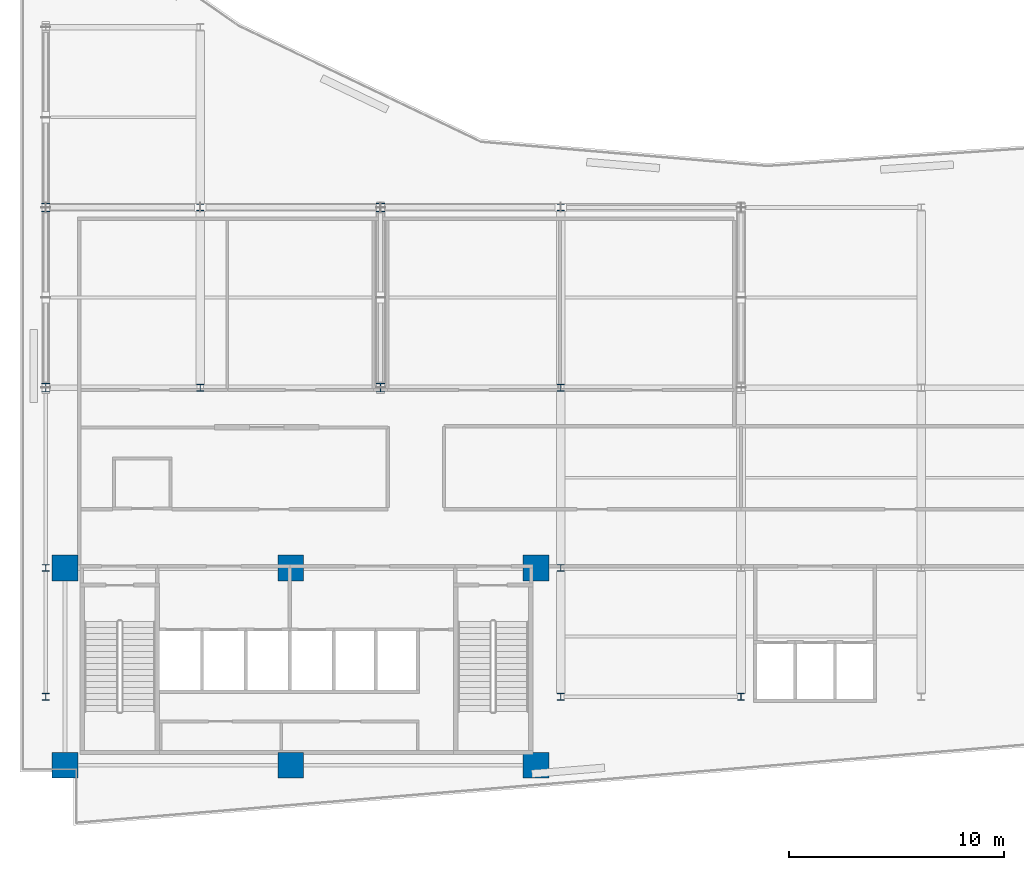
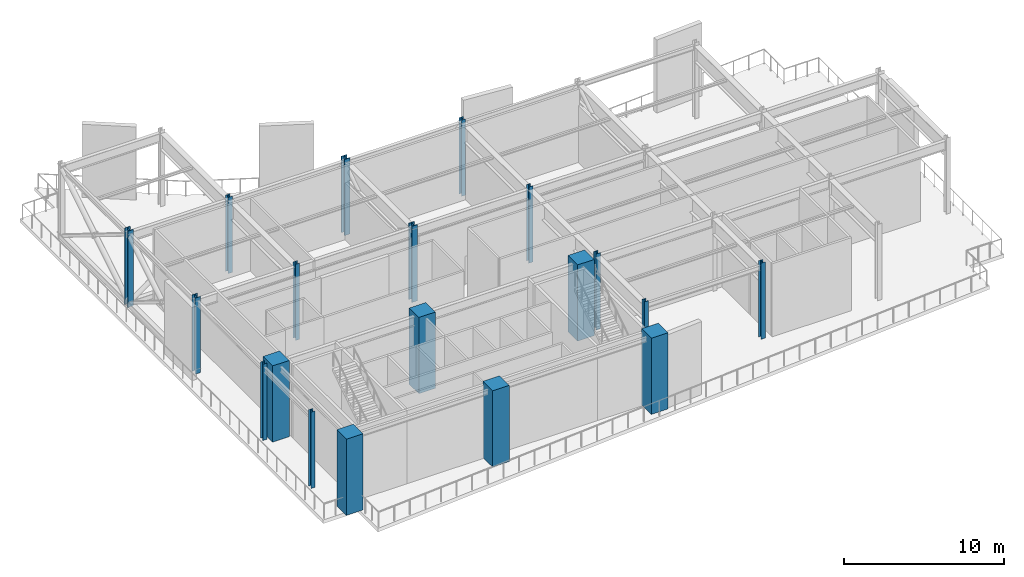
# One storey, part 1 of 13: 19 columns.
"""IFC4 building model written with IfcOpenShell, lengths in metres."""

from ifc_helpers import new_model, si_unit, direction, frame, origin, origin_2d, place, context, subcontext, project, spatial, rectangle, i_section, extrude, material, material_profile, profile_set, type_object, element, save


model = new_model("IFC4")

# Units and contexts
model_context = context("Model", 3, precision=1e-05, world=origin(), true_north=direction((0.0, 1.0)))
body_context = subcontext(model_context, "Body", "Model", "MODEL_VIEW")
ifc_project = project(units=[si_unit("LENGTHUNIT", "METRE"), si_unit("AREAUNIT", "SQUARE_METRE"), si_unit("VOLUMEUNIT", "CUBIC_METRE"), si_unit("PLANEANGLEUNIT", "RADIAN"), si_unit("MASSUNIT", "GRAM", prefix="KILO")], contexts=[model_context])

# Site, building, storey
site_placement = place(None, origin())
site = spatial("IfcSite", under=ifc_project, at=site_placement, CompositionType="ELEMENT")
building_placement = place(site_placement, origin())
building = spatial("IfcBuilding", under=site, at=building_placement, Name="Varnakote Quay Hospital", CompositionType="ELEMENT")
storey_placement = place(building_placement, frame((0.0, 0.0, 174.449951171875)))
storey = spatial("IfcBuildingStorey", under=building, at=storey_placement, Name="L43", CompositionType="ELEMENT", Elevation=174.449951171875)

# Columns
ifc_material_1 = material(Name="Concrete N80 (f'c 80 MPa)", Category="concrete")
ifc_material_profile_1 = material_profile(ifc_material_1, rectangle(XDim=1.199951171875, YDim=1.199951171875, at=origin_2d()), Name="RC-COL-1200x1200")
ifc_profile_set_1 = profile_set([ifc_material_profile_1], Name="Concrete N80 (f'c 80 MPa)")
column_type_1 = type_object("IfcColumnType", Name="COL-RC-1200", PredefinedType="COLUMN", material=ifc_profile_set_1)
for number, where, z_axis, x_axis, name in (
    (1, (2.10009765625, 2.800048828125, 0.0), (0.0, 0.0, 1.0), (1.0, 0.0, 0.0), "L43 Structural Column C-2-3"),
    (2, (12.6201171875, 2.800048828125, 0.0), (0.0, 0.0, 1.0), (1.0, 0.0, 0.0), "L43 Structural Column C-13-3"),
    (3, (24.050048828125, 2.800048828125, 0.0), (0.0, 0.0, 1.0), (1.0, 0.0, 0.0), "L43 Structural Column C-24-3"),
    (4, (2.10009765625, 12.0, 0.0), (0.0, 0.0, 1.0), (1.0, 0.0, 0.0), "L43 Structural Column C-2-12"),
    (5, (12.6201171875, 12.0, 0.0), (0.0, 0.0, 1.0), (1.0, 0.0, 0.0), "L43 Structural Column C-13-12"),
    (6, (24.050048828125, 12.0, 0.0), (0.0, 0.0, 1.0), (1.0, 0.0, 0.0), "L43 Structural Column C-24-12"),
):
    element("IfcColumn", number, at=place(storey_placement, frame(where, z_axis=z_axis, x_axis=x_axis)), inside=storey, type_object=column_type_1, Name=name, PredefinedType="COLUMN", context=body_context, shape_type="SweptSolid", body=[
        extrude(rectangle(XDim=1.199951171875, YDim=1.199951171875, at=origin_2d()), origin(), (0.0, 0.0, 1.0), 5.800048828125),
    ])
ifc_material_2 = material(Name="Structural steel AS/NZS 3679.1 Grade 350 L0 (fy 340 MPa)", Category="steel")
ifc_material_profile_2 = material_profile(ifc_material_2, i_section(OverallWidth=0.306884765625, OverallDepth=0.31494140625, WebThickness=0.011962890625, FlangeThickness=0.018798828125, FilletRadius=0.0166015625, at=origin_2d()), Name="310UC118")
ifc_profile_set_2 = profile_set([ifc_material_profile_2], Name="Structural steel AS/NZS 3679.1 Grade 350 L0 (fy 340 MPa)")
column_type_2 = type_object("IfcColumnType", Name="COL-STL-310UC118", PredefinedType="COLUMN", material=ifc_profile_set_2)
for number, where, z_axis, x_axis, name in (
    (7, (1.199951171875, 6.0, 0.0), (0.0, 0.0, 1.0), (1.0, 0.0, 0.0), "L43 Structural Column C-1-6"),
    (8, (25.199951171875, 6.0, 0.0), (0.0, 0.0, 1.0), (1.0, 0.0, 0.0), "L43 Structural Column C-25-6"),
    (9, (33.60009765625, 6.0, 0.0), (0.0, 0.0, 1.0), (1.0, 0.0, 0.0), "L43 Structural Column C-34-6"),
    (10, (1.199951171875, 12.0, 0.0), (0.0, 0.0, 1.0), (1.0, 0.0, 0.0), "L43 Structural Column C-1-12"),
    (11, (25.199951171875, 12.0, 0.0), (0.0, 0.0, 1.0), (1.0, 0.0, 0.0), "L43 Structural Column C-25-12"),
    (12, (8.39990234375, 20.39990234375, 0.0), (0.0, 0.0, 1.0), (1.0, 0.0, 0.0), "L43 Structural Column C-8-20"),
    (13, (25.199951171875, 20.39990234375, 0.0), (0.0, 0.0, 1.0), (1.0, 0.0, 0.0), "L43 Structural Column C-25-20"),
    (14, (8.39990234375, 28.800048828125, 0.0), (0.0, 0.0, 1.0), (1.0, 0.0, 0.0), "L43 Structural Column C-8-29"),
    (15, (25.199951171875, 28.800048828125, 0.0), (0.0, 0.0, 1.0), (1.0, 0.0, 0.0), "L43 Structural Column C-25-29"),
):
    element("IfcColumn", number, at=place(storey_placement, frame(where, z_axis=z_axis, x_axis=x_axis)), inside=storey, type_object=column_type_2, Name=name, PredefinedType="COLUMN", context=body_context, shape_type="SweptSolid", body=[
        extrude(i_section(OverallWidth=0.306884765625, OverallDepth=0.31494140625, WebThickness=0.011962890625, FlangeThickness=0.018798828125, FilletRadius=0.0166015625, at=origin_2d()), origin(), (0.0, 0.0, 1.0), 5.800048828125),
    ])
ifc_material_3 = material(Name="Structural steel AS/NZS 3678 Grade 350 (fy 340 MPa)", Category="steel")
ifc_material_profile_3 = material_profile(ifc_material_3, i_section(OverallWidth=0.39990234375, OverallDepth=0.419921875, WebThickness=0.02490234375, FlangeThickness=0.0400390625, at=origin_2d()), Name="400WC328")
ifc_profile_set_3 = profile_set([ifc_material_profile_3], Name="Structural steel AS/NZS 3678 Grade 350 (fy 340 MPa)")
column_type_3 = type_object("IfcColumnType", Name="COL-STL-400WC328", PredefinedType="COLUMN", material=ifc_profile_set_3)
for number, where, z_axis, x_axis, name in (
    (16, (1.199951171875, 20.39990234375, 0.0), (0.0, 0.0, 1.0), (1.0, 0.0, 0.0), "L43 Structural Column C-1-20"),
    (17, (16.800048828125, 20.39990234375, 0.0), (0.0, 0.0, 1.0), (1.0, 0.0, 0.0), "L43 Structural Column C-17-20"),
    (18, (1.199951171875, 28.800048828125, 0.0), (0.0, 0.0, 1.0), (1.0, 0.0, 0.0), "L43 Structural Column C-1-29"),
    (19, (16.800048828125, 28.800048828125, 0.0), (0.0, 0.0, 1.0), (1.0, 0.0, 0.0), "L43 Structural Column C-17-29"),
):
    element("IfcColumn", number, at=place(storey_placement, frame(where, z_axis=z_axis, x_axis=x_axis)), inside=storey, type_object=column_type_3, Name=name, PredefinedType="COLUMN", context=body_context, shape_type="SweptSolid", body=[
        extrude(i_section(OverallWidth=0.39990234375, OverallDepth=0.419921875, WebThickness=0.02490234375, FlangeThickness=0.0400390625, at=origin_2d()), origin(), (0.0, 0.0, 1.0), 5.800048828125),
    ])

save(model, "model.ifc")
